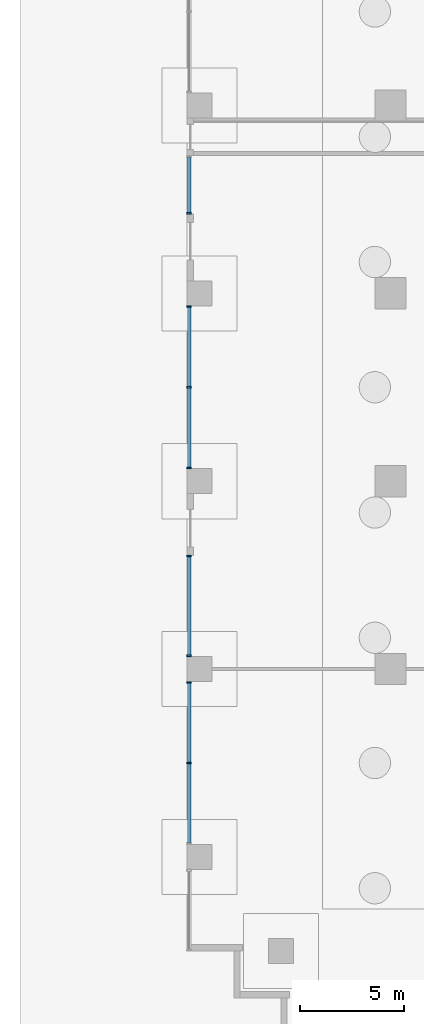
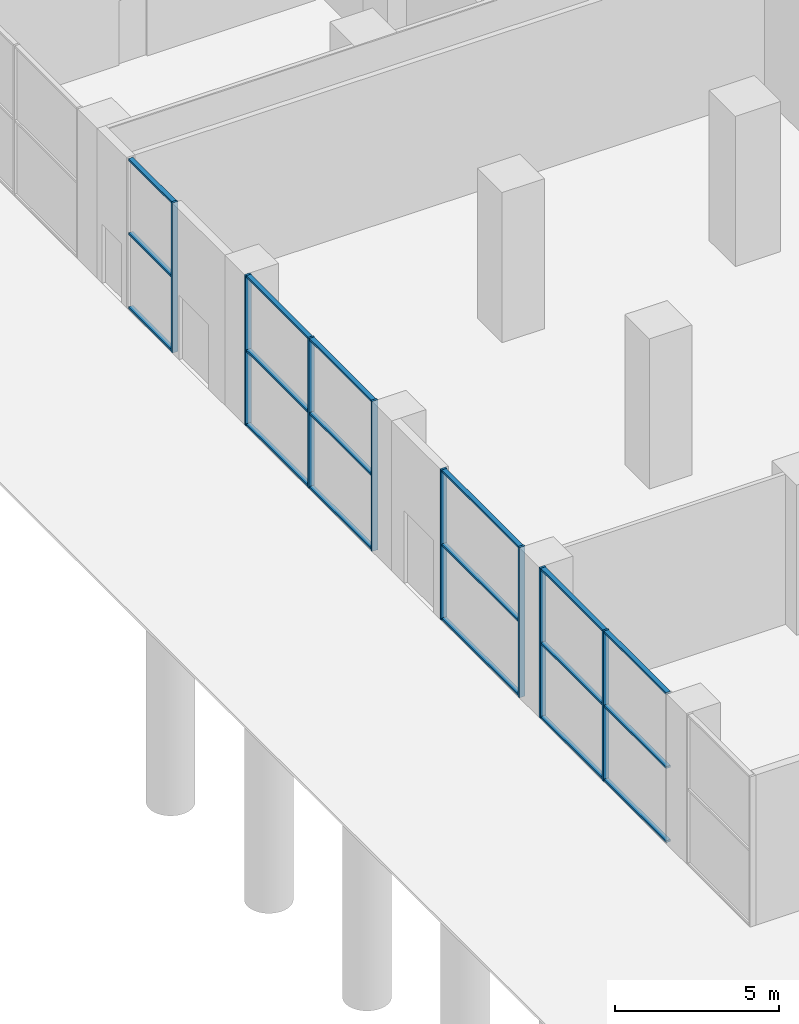
# One storey, part 4 of 20: 26 members, 4 elements without a shape of their own.
"""IFC4 building model written with IfcOpenShell, lengths in metres."""

from ifc_helpers import new_model, si_unit, direction, frame, origin, origin_2d, place, context, subcontext, project, spatial, rectangle, extrude, material, material_profile, profile_set, type_object, element, aggregate, save


model = new_model("IFC4")

# Units and contexts
model_context = context("Model", 3, precision=1e-05, world=origin(), true_north=direction((0.0, 1.0)))
body_context = subcontext(model_context, "Body", "Model", "MODEL_VIEW")
ifc_project = project(units=[si_unit("LENGTHUNIT", "METRE"), si_unit("AREAUNIT", "SQUARE_METRE"), si_unit("VOLUMEUNIT", "CUBIC_METRE"), si_unit("PLANEANGLEUNIT", "RADIAN"), si_unit("MASSUNIT", "GRAM", prefix="KILO")], contexts=[model_context])

# Site, building, storey
site_placement = place(None, origin())
site = spatial("IfcSite", under=ifc_project, at=site_placement, CompositionType="ELEMENT")
building_placement = place(site_placement, origin())
building = spatial("IfcBuilding", under=site, at=building_placement, Name="Orbiselva Terraces", CompositionType="ELEMENT")
storey_placement = place(building_placement, origin())
storey = spatial("IfcBuildingStorey", under=building, at=storey_placement, Name="L00", CompositionType="ELEMENT", Elevation=0.0)

# Curtain wall, member
ifc_material_1 = material(Name="Clear low-e glazing in aluminium frame", Category="aluminium")
curtain_wall_type = type_object("IfcCurtainWallType", Name="ENV-CW-LOBBY", PredefinedType="NOTDEFINED", material=ifc_material_1)
curtain_wall_1_placement = place(storey_placement, origin())
curtain_wall_1 = element("IfcCurtainWall", 1, at=curtain_wall_1_placement, inside=storey, type_object=curtain_wall_type, Name="Curtain wall L00 W", PredefinedType="NOTDEFINED")
ifc_material_2 = material(Name="Anodised aluminium", Category="aluminium")
ifc_material_profile_1 = material_profile(ifc_material_2, rectangle(XDim=0.2, YDim=0.075, at=origin_2d()), Name="AL 75x200")
ifc_profile_set_1 = profile_set([ifc_material_profile_1], Name="Anodised aluminium")
member_type_1 = type_object("IfcMemberType", Name="ENV-CW-LOBBY-MULLION-75x200", PredefinedType="MULLION", material=ifc_profile_set_1)
member_1_placement = place(storey_placement, frame((-35.9, 8.3375, 0.0), z_axis=(0.0, 0.0, 1.0), x_axis=(1.0, 0.0, 0.0)))
member_1 = element("IfcMember", 2, at=member_1_placement, type_object=member_type_1, Name="CW1 mullion 2", PredefinedType="MULLION", context=body_context, shape_type="SweptSolid", body=[
    extrude(rectangle(XDim=0.2, YDim=0.075, at=origin_2d()), origin(), (0.0, 0.0, 1.0), 5.6),
])

# Curtain wall, members
curtain_wall_2_placement = place(storey_placement, origin())
curtain_wall_2 = element("IfcCurtainWall", 3, at=curtain_wall_2_placement, inside=storey, type_object=curtain_wall_type, Name="Curtain wall L00 W", PredefinedType="NOTDEFINED")
member_2_placement = place(storey_placement, frame((-35.9, 3.8625, 0.0), z_axis=(0.0, 0.0, 1.0), x_axis=(1.0, 0.0, 0.0)))
member_2 = element("IfcMember", 4, at=member_2_placement, type_object=member_type_1, Name="CW1 mullion 1", PredefinedType="MULLION", context=body_context, shape_type="SweptSolid", body=[
    extrude(rectangle(XDim=0.2, YDim=0.075, at=origin_2d()), origin(), (0.0, 0.0, 1.0), 5.6),
])
member_3_placement = place(storey_placement, frame((-35.9, 0.0, 0.0), z_axis=(0.0, 0.0, 1.0), x_axis=(1.0, 0.0, 0.0)))
member_3 = element("IfcMember", 5, at=member_3_placement, type_object=member_type_1, Name="CW1 mullion 2", PredefinedType="MULLION", context=body_context, shape_type="SweptSolid", body=[
    extrude(rectangle(XDim=0.2, YDim=0.075, at=origin_2d()), origin(), (0.0, 0.0, 1.0), 5.6),
])
member_4_placement = place(storey_placement, frame((-35.9, -3.8625, 0.0), z_axis=(0.0, 0.0, 1.0), x_axis=(1.0, 0.0, 0.0)))
member_4 = element("IfcMember", 6, at=member_4_placement, type_object=member_type_1, Name="CW1 mullion 3", PredefinedType="MULLION", context=body_context, shape_type="SweptSolid", body=[
    extrude(rectangle(XDim=0.2, YDim=0.075, at=origin_2d()), origin(), (0.0, 0.0, 1.0), 5.6),
])

curtain_wall_3_placement = place(storey_placement, origin())
curtain_wall_3 = element("IfcCurtainWall", 7, at=curtain_wall_3_placement, inside=storey, type_object=curtain_wall_type, Name="Curtain wall L00 W", PredefinedType="NOTDEFINED")
member_5_placement = place(storey_placement, frame((-35.9, -8.0875, 0.0), z_axis=(0.0, 0.0, 1.0), x_axis=(1.0, 0.0, 0.0)))
member_5 = element("IfcMember", 8, at=member_5_placement, type_object=member_type_1, Name="CW1 mullion 1", PredefinedType="MULLION", context=body_context, shape_type="SweptSolid", body=[
    extrude(rectangle(XDim=0.2, YDim=0.075, at=origin_2d()), origin(), (0.0, 0.0, 1.0), 5.6),
])
member_6_placement = place(storey_placement, frame((-35.9, -12.8625, 0.0), z_axis=(0.0, 0.0, 1.0), x_axis=(1.0, 0.0, 0.0)))
member_6 = element("IfcMember", 9, at=member_6_placement, type_object=member_type_1, Name="CW1 mullion 2", PredefinedType="MULLION", context=body_context, shape_type="SweptSolid", body=[
    extrude(rectangle(XDim=0.2, YDim=0.075, at=origin_2d()), origin(), (0.0, 0.0, 1.0), 5.6),
])

curtain_wall_4_placement = place(storey_placement, origin())
curtain_wall_4 = element("IfcCurtainWall", 10, at=curtain_wall_4_placement, inside=storey, type_object=curtain_wall_type, Name="Curtain wall L00 W", PredefinedType="NOTDEFINED")
member_7_placement = place(storey_placement, frame((-35.9, -14.1375, 0.0), z_axis=(0.0, 0.0, 1.0), x_axis=(1.0, 0.0, 0.0)))
member_7 = element("IfcMember", 11, at=member_7_placement, type_object=member_type_1, Name="CW1 mullion 1", PredefinedType="MULLION", context=body_context, shape_type="SweptSolid", body=[
    extrude(rectangle(XDim=0.2, YDim=0.075, at=origin_2d()), origin(), (0.0, 0.0, 1.0), 5.6),
])
member_8_placement = place(storey_placement, frame((-35.9, -18.0, 0.0), z_axis=(0.0, 0.0, 1.0), x_axis=(1.0, 0.0, 0.0)))
member_8 = element("IfcMember", 12, at=member_8_placement, type_object=member_type_1, Name="CW1 mullion 2", PredefinedType="MULLION", context=body_context, shape_type="SweptSolid", body=[
    extrude(rectangle(XDim=0.2, YDim=0.075, at=origin_2d()), origin(), (0.0, 0.0, 1.0), 5.6),
])

# Member
ifc_material_profile_2 = material_profile(ifc_material_2, rectangle(XDim=0.16, YDim=0.075, at=origin_2d()), Name="AL 75x160")
ifc_profile_set_2 = profile_set([ifc_material_profile_2], Name="Anodised aluminium")
member_type_2 = type_object("IfcMemberType", Name="ENV-CW-LOBBY-TRANSOM-75x160", PredefinedType="USERDEFINED", material=ifc_profile_set_2)
member_9_placement = place(storey_placement, frame((-35.9, 11.025, 0.0375), z_axis=(0.0, -1.0, 0.0), x_axis=(1.0, 0.0, 0.0)))
member_9 = element("IfcMember", 13, at=member_9_placement, type_object=member_type_2, Name="CW1 transom 1.1", ObjectType="TRANSOM", PredefinedType="USERDEFINED", context=body_context, shape_type="SweptSolid", body=[
    extrude(rectangle(XDim=0.16, YDim=0.075, at=origin_2d()), origin(), (0.0, 0.0, 1.0), 2.65),
])

member_10_placement = place(storey_placement, frame((-35.9, 11.025, 2.8), z_axis=(0.0, -1.0, 0.0), x_axis=(1.0, 0.0, 0.0)))
member_10 = element("IfcMember", 14, at=member_10_placement, type_object=member_type_2, Name="CW1 transom 1.2", ObjectType="TRANSOM", PredefinedType="USERDEFINED", context=body_context, shape_type="SweptSolid", body=[
    extrude(rectangle(XDim=0.16, YDim=0.075, at=origin_2d()), origin(), (0.0, 0.0, 1.0), 2.65),
])

member_11_placement = place(storey_placement, frame((-35.9, 11.025, 5.5625), z_axis=(0.0, -1.0, 0.0), x_axis=(1.0, 0.0, 0.0)))
member_11 = element("IfcMember", 15, at=member_11_placement, type_object=member_type_2, Name="CW1 transom 1.3", ObjectType="TRANSOM", PredefinedType="USERDEFINED", context=body_context, shape_type="SweptSolid", body=[
    extrude(rectangle(XDim=0.16, YDim=0.075, at=origin_2d()), origin(), (0.0, 0.0, 1.0), 2.65),
])

aggregate(curtain_wall_1, [member_1, member_9, member_10, member_11])

member_12_placement = place(storey_placement, frame((-35.9, 3.825, 0.0375), z_axis=(0.0, -1.0, 0.0), x_axis=(1.0, 0.0, 0.0)))
member_12 = element("IfcMember", 16, at=member_12_placement, type_object=member_type_2, Name="CW1 transom 1.1", ObjectType="TRANSOM", PredefinedType="USERDEFINED", context=body_context, shape_type="SweptSolid", body=[
    extrude(rectangle(XDim=0.16, YDim=0.075, at=origin_2d()), origin(), (0.0, 0.0, 1.0), 3.7875),
])

member_13_placement = place(storey_placement, frame((-35.9, 3.825, 2.8), z_axis=(0.0, -1.0, 0.0), x_axis=(1.0, 0.0, 0.0)))
member_13 = element("IfcMember", 17, at=member_13_placement, type_object=member_type_2, Name="CW1 transom 1.2", ObjectType="TRANSOM", PredefinedType="USERDEFINED", context=body_context, shape_type="SweptSolid", body=[
    extrude(rectangle(XDim=0.16, YDim=0.075, at=origin_2d()), origin(), (0.0, 0.0, 1.0), 3.7875),
])

member_14_placement = place(storey_placement, frame((-35.9, 3.825, 5.5625), z_axis=(0.0, -1.0, 0.0), x_axis=(1.0, 0.0, 0.0)))
member_14 = element("IfcMember", 18, at=member_14_placement, type_object=member_type_2, Name="CW1 transom 1.3", ObjectType="TRANSOM", PredefinedType="USERDEFINED", context=body_context, shape_type="SweptSolid", body=[
    extrude(rectangle(XDim=0.16, YDim=0.075, at=origin_2d()), origin(), (0.0, 0.0, 1.0), 3.7875),
])

member_15_placement = place(storey_placement, frame((-35.9, -0.0375, 0.0375), z_axis=(0.0, -1.0, 0.0), x_axis=(1.0, 0.0, 0.0)))
member_15 = element("IfcMember", 19, at=member_15_placement, type_object=member_type_2, Name="CW1 transom 2.1", ObjectType="TRANSOM", PredefinedType="USERDEFINED", context=body_context, shape_type="SweptSolid", body=[
    extrude(rectangle(XDim=0.16, YDim=0.075, at=origin_2d()), origin(), (0.0, 0.0, 1.0), 3.7875),
])

member_16_placement = place(storey_placement, frame((-35.9, -0.0375, 2.8), z_axis=(0.0, -1.0, 0.0), x_axis=(1.0, 0.0, 0.0)))
member_16 = element("IfcMember", 20, at=member_16_placement, type_object=member_type_2, Name="CW1 transom 2.2", ObjectType="TRANSOM", PredefinedType="USERDEFINED", context=body_context, shape_type="SweptSolid", body=[
    extrude(rectangle(XDim=0.16, YDim=0.075, at=origin_2d()), origin(), (0.0, 0.0, 1.0), 3.7875),
])

member_17_placement = place(storey_placement, frame((-35.9, -0.0375, 5.5625), z_axis=(0.0, -1.0, 0.0), x_axis=(1.0, 0.0, 0.0)))
member_17 = element("IfcMember", 21, at=member_17_placement, type_object=member_type_2, Name="CW1 transom 2.3", ObjectType="TRANSOM", PredefinedType="USERDEFINED", context=body_context, shape_type="SweptSolid", body=[
    extrude(rectangle(XDim=0.16, YDim=0.075, at=origin_2d()), origin(), (0.0, 0.0, 1.0), 3.7875),
])

aggregate(curtain_wall_2, [member_2, member_3, member_4, member_12, member_13, member_14, member_15, member_16, member_17])

member_18_placement = place(storey_placement, frame((-35.9, -8.125, 0.0375), z_axis=(0.0, -1.0, 0.0), x_axis=(1.0, 0.0, 0.0)))
member_18 = element("IfcMember", 22, at=member_18_placement, type_object=member_type_2, Name="CW1 transom 1.1", ObjectType="TRANSOM", PredefinedType="USERDEFINED", context=body_context, shape_type="SweptSolid", body=[
    extrude(rectangle(XDim=0.16, YDim=0.075, at=origin_2d()), origin(), (0.0, 0.0, 1.0), 4.7),
])

member_19_placement = place(storey_placement, frame((-35.9, -8.125, 2.8), z_axis=(0.0, -1.0, 0.0), x_axis=(1.0, 0.0, 0.0)))
member_19 = element("IfcMember", 23, at=member_19_placement, type_object=member_type_2, Name="CW1 transom 1.2", ObjectType="TRANSOM", PredefinedType="USERDEFINED", context=body_context, shape_type="SweptSolid", body=[
    extrude(rectangle(XDim=0.16, YDim=0.075, at=origin_2d()), origin(), (0.0, 0.0, 1.0), 4.7),
])

member_20_placement = place(storey_placement, frame((-35.9, -8.125, 5.5625), z_axis=(0.0, -1.0, 0.0), x_axis=(1.0, 0.0, 0.0)))
member_20 = element("IfcMember", 24, at=member_20_placement, type_object=member_type_2, Name="CW1 transom 1.3", ObjectType="TRANSOM", PredefinedType="USERDEFINED", context=body_context, shape_type="SweptSolid", body=[
    extrude(rectangle(XDim=0.16, YDim=0.075, at=origin_2d()), origin(), (0.0, 0.0, 1.0), 4.7),
])

aggregate(curtain_wall_3, [member_5, member_6, member_18, member_19, member_20])

member_21_placement = place(storey_placement, frame((-35.9, -14.175, 0.0375), z_axis=(0.0, -1.0, 0.0), x_axis=(1.0, 0.0, 0.0)))
member_21 = element("IfcMember", 25, at=member_21_placement, type_object=member_type_2, Name="CW1 transom 1.1", ObjectType="TRANSOM", PredefinedType="USERDEFINED", context=body_context, shape_type="SweptSolid", body=[
    extrude(rectangle(XDim=0.16, YDim=0.075, at=origin_2d()), origin(), (0.0, 0.0, 1.0), 3.7875),
])

member_22_placement = place(storey_placement, frame((-35.9, -14.175, 2.8), z_axis=(0.0, -1.0, 0.0), x_axis=(1.0, 0.0, 0.0)))
member_22 = element("IfcMember", 26, at=member_22_placement, type_object=member_type_2, Name="CW1 transom 1.2", ObjectType="TRANSOM", PredefinedType="USERDEFINED", context=body_context, shape_type="SweptSolid", body=[
    extrude(rectangle(XDim=0.16, YDim=0.075, at=origin_2d()), origin(), (0.0, 0.0, 1.0), 3.7875),
])

member_23_placement = place(storey_placement, frame((-35.9, -14.175, 5.5625), z_axis=(0.0, -1.0, 0.0), x_axis=(1.0, 0.0, 0.0)))
member_23 = element("IfcMember", 27, at=member_23_placement, type_object=member_type_2, Name="CW1 transom 1.3", ObjectType="TRANSOM", PredefinedType="USERDEFINED", context=body_context, shape_type="SweptSolid", body=[
    extrude(rectangle(XDim=0.16, YDim=0.075, at=origin_2d()), origin(), (0.0, 0.0, 1.0), 3.7875),
])

member_24_placement = place(storey_placement, frame((-35.9, -18.0375, 0.0375), z_axis=(0.0, -1.0, 0.0), x_axis=(1.0, 0.0, 0.0)))
member_24 = element("IfcMember", 28, at=member_24_placement, type_object=member_type_2, Name="CW1 transom 2.1", ObjectType="TRANSOM", PredefinedType="USERDEFINED", context=body_context, shape_type="SweptSolid", body=[
    extrude(rectangle(XDim=0.16, YDim=0.075, at=origin_2d()), origin(), (0.0, 0.0, 1.0), 3.7875),
])

member_25_placement = place(storey_placement, frame((-35.9, -18.0375, 2.8), z_axis=(0.0, -1.0, 0.0), x_axis=(1.0, 0.0, 0.0)))
member_25 = element("IfcMember", 29, at=member_25_placement, type_object=member_type_2, Name="CW1 transom 2.2", ObjectType="TRANSOM", PredefinedType="USERDEFINED", context=body_context, shape_type="SweptSolid", body=[
    extrude(rectangle(XDim=0.16, YDim=0.075, at=origin_2d()), origin(), (0.0, 0.0, 1.0), 3.7875),
])

member_26_placement = place(storey_placement, frame((-35.9, -18.0375, 5.5625), z_axis=(0.0, -1.0, 0.0), x_axis=(1.0, 0.0, 0.0)))
member_26 = element("IfcMember", 30, at=member_26_placement, type_object=member_type_2, Name="CW1 transom 2.3", ObjectType="TRANSOM", PredefinedType="USERDEFINED", context=body_context, shape_type="SweptSolid", body=[
    extrude(rectangle(XDim=0.16, YDim=0.075, at=origin_2d()), origin(), (0.0, 0.0, 1.0), 3.7875),
])

aggregate(curtain_wall_4, [member_7, member_8, member_21, member_22, member_23, member_24, member_25, member_26])

save(model, "model.ifc")
